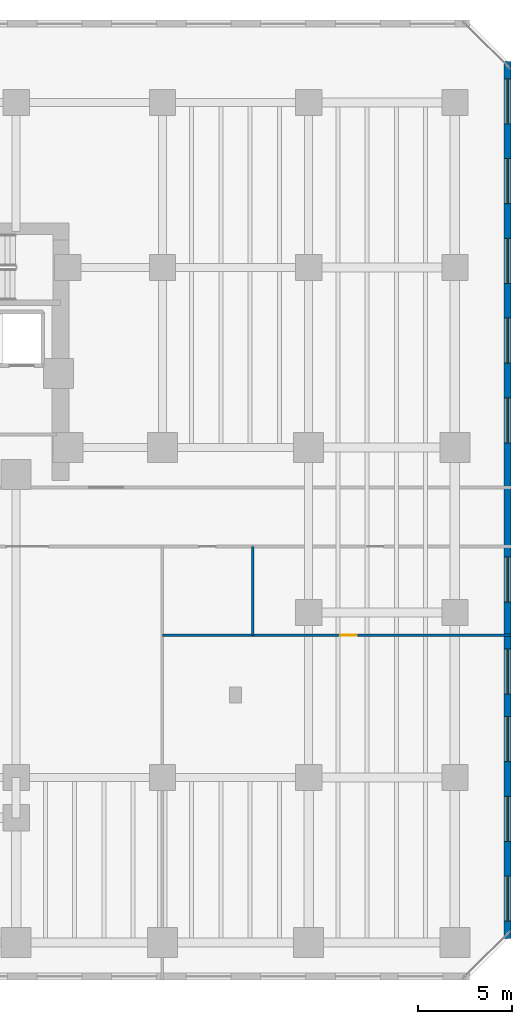
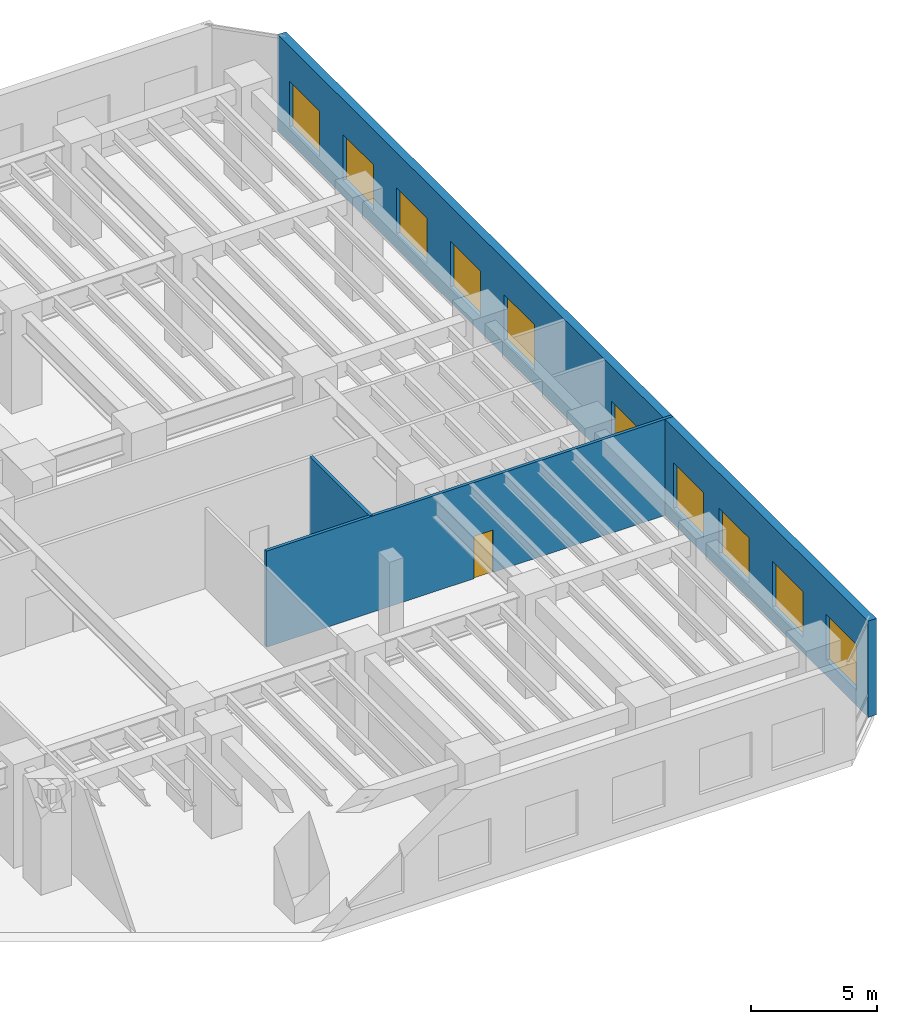
# One storey, part 16 of 19: 10 windows, 3 walls, 1 door, 11 openings.
"""IFC4 building model written with IfcOpenShell, lengths in metres."""

from ifc_helpers import new_model, si_unit, direction, frame, frame_2d, origin, place, context, subcontext, project, spatial, rectangle, extrude, material, layer, layer_set, type_object, element, fill, save


model = new_model("IFC4")

# Units and contexts
model_context = context("Model", 3, precision=1e-05, world=origin(), true_north=direction((0.0, 1.0)))
body_context = subcontext(model_context, "Body", "Model", "MODEL_VIEW")
ifc_project = project(units=[si_unit("LENGTHUNIT", "METRE"), si_unit("AREAUNIT", "SQUARE_METRE"), si_unit("VOLUMEUNIT", "CUBIC_METRE"), si_unit("PLANEANGLEUNIT", "RADIAN"), si_unit("MASSUNIT", "GRAM", prefix="KILO")], contexts=[model_context])

# Site, building, storey
site_placement = place(None, origin())
site = spatial("IfcSite", under=ifc_project, at=site_placement, CompositionType="ELEMENT")
building_placement = place(site_placement, origin())
building = spatial("IfcBuilding", under=site, at=building_placement, Name="Kestravale Grand Hotel", CompositionType="ELEMENT")
storey_placement = place(building_placement, frame((0.0, 0.0, 5.39990234375)))
storey = spatial("IfcBuildingStorey", under=building, at=storey_placement, Name="L01", CompositionType="ELEMENT", Elevation=5.39990234375)

# Wall, openings, windows
ifc_material_1 = material(Name="Precast concrete f'c 45 MPa", Category="concrete")
ifc_layer_1 = layer(ifc_material_1, 0.3798828125)
ifc_layer_set_1 = layer_set([ifc_layer_1], Name="EW-POD-380")
wall_type_1 = type_object("IfcWallType", Name="EW-POD-380", PredefinedType="SOLIDWALL", material=ifc_layer_set_1)
wall_1_placement = place(storey_placement, frame((80.81005859375, 2.610107421875, 0.0), z_axis=(0.0, 0.0, 1.0), x_axis=(0.0, 1.0, 0.0)))
wall_1 = element("IfcWall", 1, at=wall_1_placement, inside=storey, type_object=wall_type_1, Name="L01 fluted precast facade wall 3", PredefinedType="SOLIDWALL", context=body_context, shape_type="SweptSolid", body=[
    extrude(rectangle(XDim=46.77978515625, YDim=0.3798828125, at=frame_2d((23.389892578125, 0.0))), origin(), (0.0, 0.0, 1.0), 4.650146484375),
])
opening_1_placement = place(wall_1_placement, frame((0.926513671875, 0.0, 0.75)))
opening_1 = element("IfcOpeningElement", 2, at=opening_1_placement, cuts=wall_1, Name="Opening W-POD-2400", PredefinedType="OPENING", context=body_context, shape_type="SweptSolid", body=[
    extrude(rectangle(XDim=2.39990234375, YDim=2.199951171875, at=frame_2d((1.199951171875, 1.10009765625))), frame((0.0, 0.199951171875, 0.0), z_axis=(0.0, -1.0, 0.0), x_axis=(1.0, 0.0, 0.0)), (0.0, 0.0, 1.0), 0.39990234375),
])
opening_2_placement = place(wall_1_placement, frame((5.17919921875, 0.0, 0.75)))
opening_2 = element("IfcOpeningElement", 3, at=opening_2_placement, cuts=wall_1, Name="Opening W-POD-2400", PredefinedType="OPENING", context=body_context, shape_type="SweptSolid", body=[
    extrude(rectangle(XDim=2.39990234375, YDim=2.199951171875, at=frame_2d((1.199951171875, 1.10009765625))), frame((0.0, 0.199951171875, 0.0), z_axis=(0.0, -1.0, 0.0), x_axis=(1.0, 0.0, 0.0)), (0.0, 0.0, 1.0), 0.39990234375),
])
opening_3_placement = place(wall_1_placement, frame((9.431884765625, 0.0, 0.75)))
opening_3 = element("IfcOpeningElement", 4, at=opening_3_placement, cuts=wall_1, Name="Opening W-POD-2400", PredefinedType="OPENING", context=body_context, shape_type="SweptSolid", body=[
    extrude(rectangle(XDim=2.39990234375, YDim=2.199951171875, at=frame_2d((1.199951171875, 1.10009765625))), frame((0.0, 0.199951171875, 0.0), z_axis=(0.0, -1.0, 0.0), x_axis=(1.0, 0.0, 0.0)), (0.0, 0.0, 1.0), 0.39990234375),
])
opening_4_placement = place(wall_1_placement, frame((13.034423828125, 0.0, 0.75)))
opening_4 = element("IfcOpeningElement", 5, at=opening_4_placement, cuts=wall_1, Name="Opening W-POD-2400", PredefinedType="OPENING", context=body_context, shape_type="SweptSolid", body=[
    extrude(rectangle(XDim=2.39990234375, YDim=2.199951171875, at=frame_2d((1.199951171875, 1.10009765625))), frame((0.0, 0.199951171875, 0.0), z_axis=(0.0, -1.0, 0.0), x_axis=(1.0, 0.0, 0.0)), (0.0, 0.0, 1.0), 0.39990234375),
])
opening_5_placement = place(wall_1_placement, frame((17.937255859375, 0.0, 0.75)))
opening_5 = element("IfcOpeningElement", 6, at=opening_5_placement, cuts=wall_1, Name="Opening W-POD-2400", PredefinedType="OPENING", context=body_context, shape_type="SweptSolid", body=[
    extrude(rectangle(XDim=2.39990234375, YDim=2.199951171875, at=frame_2d((1.199951171875, 1.10009765625))), frame((0.0, 0.199951171875, 0.0), z_axis=(0.0, -1.0, 0.0), x_axis=(1.0, 0.0, 0.0)), (0.0, 0.0, 1.0), 0.39990234375),
])
opening_6_placement = place(wall_1_placement, frame((26.442626953125, 0.0, 0.75)))
opening_6 = element("IfcOpeningElement", 7, at=opening_6_placement, cuts=wall_1, Name="Opening W-POD-2400", PredefinedType="OPENING", context=body_context, shape_type="SweptSolid", body=[
    extrude(rectangle(XDim=2.39990234375, YDim=2.199951171875, at=frame_2d((1.199951171875, 1.10009765625))), frame((0.0, 0.199951171875, 0.0), z_axis=(0.0, -1.0, 0.0), x_axis=(1.0, 0.0, 0.0)), (0.0, 0.0, 1.0), 0.39990234375),
])
opening_7_placement = place(wall_1_placement, frame((30.695556640625, 0.0, 0.75)))
opening_7 = element("IfcOpeningElement", 8, at=opening_7_placement, cuts=wall_1, Name="Opening W-POD-2400", PredefinedType="OPENING", context=body_context, shape_type="SweptSolid", body=[
    extrude(rectangle(XDim=2.39990234375, YDim=2.199951171875, at=frame_2d((1.199951171875, 1.10009765625))), frame((0.0, 0.199951171875, 0.0), z_axis=(0.0, -1.0, 0.0), x_axis=(1.0, 0.0, 0.0)), (0.0, 0.0, 1.0), 0.39990234375),
])
opening_8_placement = place(wall_1_placement, frame((34.9482421875, 0.0, 0.75)))
opening_8 = element("IfcOpeningElement", 9, at=opening_8_placement, cuts=wall_1, Name="Opening W-POD-2400", PredefinedType="OPENING", context=body_context, shape_type="SweptSolid", body=[
    extrude(rectangle(XDim=2.39990234375, YDim=2.199951171875, at=frame_2d((1.199951171875, 1.10009765625))), frame((0.0, 0.199951171875, 0.0), z_axis=(0.0, -1.0, 0.0), x_axis=(1.0, 0.0, 0.0)), (0.0, 0.0, 1.0), 0.39990234375),
])
opening_9_placement = place(wall_1_placement, frame((39.200927734375, 0.0, 0.75)))
opening_9 = element("IfcOpeningElement", 10, at=opening_9_placement, cuts=wall_1, Name="Opening W-POD-2400", PredefinedType="OPENING", context=body_context, shape_type="SweptSolid", body=[
    extrude(rectangle(XDim=2.39990234375, YDim=2.199951171875, at=frame_2d((1.199951171875, 1.10009765625))), frame((0.0, 0.199951171875, 0.0), z_axis=(0.0, -1.0, 0.0), x_axis=(1.0, 0.0, 0.0)), (0.0, 0.0, 1.0), 0.39990234375),
])
opening_10_placement = place(wall_1_placement, frame((43.45361328125, 0.0, 0.75)))
opening_10 = element("IfcOpeningElement", 11, at=opening_10_placement, cuts=wall_1, Name="Opening W-POD-2400", PredefinedType="OPENING", context=body_context, shape_type="SweptSolid", body=[
    extrude(rectangle(XDim=2.39990234375, YDim=2.199951171875, at=frame_2d((1.199951171875, 1.10009765625))), frame((0.0, 0.199951171875, 0.0), z_axis=(0.0, -1.0, 0.0), x_axis=(1.0, 0.0, 0.0)), (0.0, 0.0, 1.0), 0.39990234375),
])
ifc_material_2 = material(Name="Insulated low-E double glazing in aluminium frame", Category="aluminium")
window_type = type_object("IfcWindowType", Name="W-POD-2400", PartitioningType="DOUBLE_PANEL_VERTICAL", PredefinedType="WINDOW", material=ifc_material_2)
window_1_placement = place(opening_1_placement, origin())
window_1 = element("IfcWindow", 12, at=window_1_placement, inside=storey, type_object=window_type, Name="L01 exterior window 3.1", OverallHeight=2.199951171875, OverallWidth=2.39990234375, PartitioningType="SINGLE_PANEL", PredefinedType="WINDOW", context=body_context, shape_type="SweptSolid", body=[
    extrude(rectangle(XDim=2.39990234375, YDim=2.199951171875, at=frame_2d((1.199951171875, 1.10009765625))), frame((0.0, 0.030029296875, 0.0), z_axis=(0.0, -1.0, 0.0), x_axis=(1.0, 0.0, 0.0)), (0.0, 0.0, 1.0), 0.06005859375),
])
fill(opening_1, window_1)
window_2_placement = place(opening_2_placement, origin())
window_2 = element("IfcWindow", 13, at=window_2_placement, inside=storey, type_object=window_type, Name="L01 exterior window 3.2", OverallHeight=2.199951171875, OverallWidth=2.39990234375, PartitioningType="SINGLE_PANEL", PredefinedType="WINDOW", context=body_context, shape_type="SweptSolid", body=[
    extrude(rectangle(XDim=2.39990234375, YDim=2.199951171875, at=frame_2d((1.199951171875, 1.10009765625))), frame((0.0, 0.030029296875, 0.0), z_axis=(0.0, -1.0, 0.0), x_axis=(1.0, 0.0, 0.0)), (0.0, 0.0, 1.0), 0.06005859375),
])
fill(opening_2, window_2)
window_3_placement = place(opening_3_placement, origin())
window_3 = element("IfcWindow", 14, at=window_3_placement, inside=storey, type_object=window_type, Name="L01 exterior window 3.3", OverallHeight=2.199951171875, OverallWidth=2.39990234375, PartitioningType="SINGLE_PANEL", PredefinedType="WINDOW", context=body_context, shape_type="SweptSolid", body=[
    extrude(rectangle(XDim=2.39990234375, YDim=2.199951171875, at=frame_2d((1.199951171875, 1.10009765625))), frame((0.0, 0.030029296875, 0.0), z_axis=(0.0, -1.0, 0.0), x_axis=(1.0, 0.0, 0.0)), (0.0, 0.0, 1.0), 0.06005859375),
])
fill(opening_3, window_3)
window_4_placement = place(opening_4_placement, origin())
window_4 = element("IfcWindow", 15, at=window_4_placement, inside=storey, type_object=window_type, Name="L01 exterior window 3.4", OverallHeight=2.199951171875, OverallWidth=2.39990234375, PartitioningType="SINGLE_PANEL", PredefinedType="WINDOW", context=body_context, shape_type="SweptSolid", body=[
    extrude(rectangle(XDim=2.39990234375, YDim=2.199951171875, at=frame_2d((1.199951171875, 1.10009765625))), frame((0.0, 0.030029296875, 0.0), z_axis=(0.0, -1.0, 0.0), x_axis=(1.0, 0.0, 0.0)), (0.0, 0.0, 1.0), 0.06005859375),
])
fill(opening_4, window_4)
window_5_placement = place(opening_5_placement, origin())
window_5 = element("IfcWindow", 16, at=window_5_placement, inside=storey, type_object=window_type, Name="L01 exterior window 3.5", OverallHeight=2.199951171875, OverallWidth=2.39990234375, PartitioningType="SINGLE_PANEL", PredefinedType="WINDOW", context=body_context, shape_type="SweptSolid", body=[
    extrude(rectangle(XDim=2.39990234375, YDim=2.199951171875, at=frame_2d((1.199951171875, 1.10009765625))), frame((0.0, 0.030029296875, 0.0), z_axis=(0.0, -1.0, 0.0), x_axis=(1.0, 0.0, 0.0)), (0.0, 0.0, 1.0), 0.06005859375),
])
fill(opening_5, window_5)
window_6_placement = place(opening_6_placement, origin())
window_6 = element("IfcWindow", 17, at=window_6_placement, inside=storey, type_object=window_type, Name="L01 exterior window 3.6", OverallHeight=2.199951171875, OverallWidth=2.39990234375, PartitioningType="SINGLE_PANEL", PredefinedType="WINDOW", context=body_context, shape_type="SweptSolid", body=[
    extrude(rectangle(XDim=2.39990234375, YDim=2.199951171875, at=frame_2d((1.199951171875, 1.10009765625))), frame((0.0, 0.030029296875, 0.0), z_axis=(0.0, -1.0, 0.0), x_axis=(1.0, 0.0, 0.0)), (0.0, 0.0, 1.0), 0.06005859375),
])
fill(opening_6, window_6)
window_7_placement = place(opening_7_placement, origin())
window_7 = element("IfcWindow", 18, at=window_7_placement, inside=storey, type_object=window_type, Name="L01 exterior window 3.7", OverallHeight=2.199951171875, OverallWidth=2.39990234375, PartitioningType="SINGLE_PANEL", PredefinedType="WINDOW", context=body_context, shape_type="SweptSolid", body=[
    extrude(rectangle(XDim=2.39990234375, YDim=2.199951171875, at=frame_2d((1.199951171875, 1.10009765625))), frame((0.0, 0.030029296875, 0.0), z_axis=(0.0, -1.0, 0.0), x_axis=(1.0, 0.0, 0.0)), (0.0, 0.0, 1.0), 0.06005859375),
])
fill(opening_7, window_7)
window_8_placement = place(opening_8_placement, origin())
window_8 = element("IfcWindow", 19, at=window_8_placement, inside=storey, type_object=window_type, Name="L01 exterior window 3.8", OverallHeight=2.199951171875, OverallWidth=2.39990234375, PartitioningType="SINGLE_PANEL", PredefinedType="WINDOW", context=body_context, shape_type="SweptSolid", body=[
    extrude(rectangle(XDim=2.39990234375, YDim=2.199951171875, at=frame_2d((1.199951171875, 1.10009765625))), frame((0.0, 0.030029296875, 0.0), z_axis=(0.0, -1.0, 0.0), x_axis=(1.0, 0.0, 0.0)), (0.0, 0.0, 1.0), 0.06005859375),
])
fill(opening_8, window_8)
window_9_placement = place(opening_9_placement, origin())
window_9 = element("IfcWindow", 20, at=window_9_placement, inside=storey, type_object=window_type, Name="L01 exterior window 3.9", OverallHeight=2.199951171875, OverallWidth=2.39990234375, PartitioningType="SINGLE_PANEL", PredefinedType="WINDOW", context=body_context, shape_type="SweptSolid", body=[
    extrude(rectangle(XDim=2.39990234375, YDim=2.199951171875, at=frame_2d((1.199951171875, 1.10009765625))), frame((0.0, 0.030029296875, 0.0), z_axis=(0.0, -1.0, 0.0), x_axis=(1.0, 0.0, 0.0)), (0.0, 0.0, 1.0), 0.06005859375),
])
fill(opening_9, window_9)
window_10_placement = place(opening_10_placement, origin())
window_10 = element("IfcWindow", 21, at=window_10_placement, inside=storey, type_object=window_type, Name="L01 exterior window 3.10", OverallHeight=2.199951171875, OverallWidth=2.39990234375, PartitioningType="SINGLE_PANEL", PredefinedType="WINDOW", context=body_context, shape_type="SweptSolid", body=[
    extrude(rectangle(XDim=2.39990234375, YDim=2.199951171875, at=frame_2d((1.199951171875, 1.10009765625))), frame((0.0, 0.030029296875, 0.0), z_axis=(0.0, -1.0, 0.0), x_axis=(1.0, 0.0, 0.0)), (0.0, 0.0, 1.0), 0.06005859375),
])
fill(opening_10, window_10)

# Wall, opening, door
ifc_material_3 = material(Name="Moisture-resistant tile-backer plumbing chase wall", Category="other")
ifc_layer_2 = layer(ifc_material_3, 0.139892578125)
ifc_layer_set_2 = layer_set([ifc_layer_2], Name="IW-PLB-140")
wall_type_2 = type_object("IfcWallType", Name="IW-PLB-140", PredefinedType="PLUMBINGWALL", material=ifc_layer_set_2)
wall_2_placement = place(storey_placement, frame((62.39990234375, 18.780029296875, 0.0), z_axis=(0.0, 0.0, 1.0), x_axis=(1.0, 0.0, 0.0)))
wall_2 = element("IfcWall", 22, at=wall_2_placement, inside=storey, type_object=wall_type_2, Name="W-L01-WCH", PredefinedType="PLUMBINGWALL", context=body_context, shape_type="SweptSolid", body=[
    extrude(rectangle(XDim=18.580078125, YDim=0.139892578125, at=frame_2d((9.2900390625, 0.0))), origin(), (0.0, 0.0, 1.0), 4.650146484375),
])
opening_11_placement = place(wall_2_placement, frame((9.48876953125, 0.0, 0.0)))
opening_11 = element("IfcOpeningElement", 23, at=opening_11_placement, cuts=wall_2, Name="Opening D-BATH-880", PredefinedType="OPENING", context=body_context, shape_type="SweptSolid", body=[
    extrude(rectangle(XDim=0.8798828125, YDim=2.050048828125, at=frame_2d((0.43994140625, 1.02490234375))), frame((0.0, 0.079833984375, 0.0), z_axis=(0.0, -1.0, 0.0), x_axis=(1.0, 0.0, 0.0)), (0.0, 0.0, 1.0), 0.159912109375),
])
ifc_material_4 = material(Name="Moisture-sealed walnut en-suite bathroom door", Category="wood")
door_type = type_object("IfcDoorType", Name="D-BATH-880", OperationType="NOTDEFINED", PredefinedType="DOOR", material=ifc_material_4)
door_placement = place(opening_11_placement, origin())
door = element("IfcDoor", 24, at=door_placement, inside=storey, type_object=door_type, Name="D-L01-WCF", OperationType="SINGLE_SWING_RIGHT", OverallHeight=2.050048828125, OverallWidth=0.8798828125, PredefinedType="DOOR", context=body_context, shape_type="SweptSolid", body=[
    extrude(rectangle(XDim=0.8798828125, YDim=2.050048828125, at=frame_2d((0.43994140625, 1.02490234375))), frame((0.0, 0.02490234375, 0.0), z_axis=(0.0, -1.0, 0.0), x_axis=(1.0, 0.0, 0.0)), (0.0, 0.0, 1.0), 0.050048828125),
])
fill(opening_11, door)

# Wall
wall_3_placement = place(storey_placement, frame((67.219970703125, 18.780029296875, 0.0), z_axis=(0.0, 0.0, 1.0), x_axis=(0.0, 1.0, 0.0)))
element("IfcWall", 25, at=wall_3_placement, inside=storey, type_object=wall_type_2, Name="W-L01-WCV", PredefinedType="PLUMBINGWALL", context=body_context, shape_type="SweptSolid", body=[
    extrude(rectangle(XDim=4.739990234375, YDim=0.139892578125, at=frame_2d((2.3701171875, 0.0))), origin(), (0.0, 0.0, 1.0), 4.650146484375),
])

save(model, "model.ifc")
